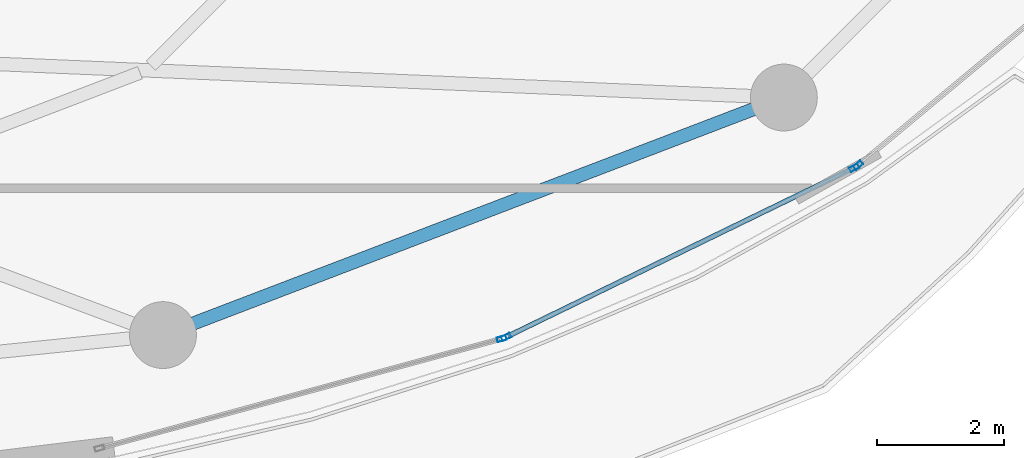
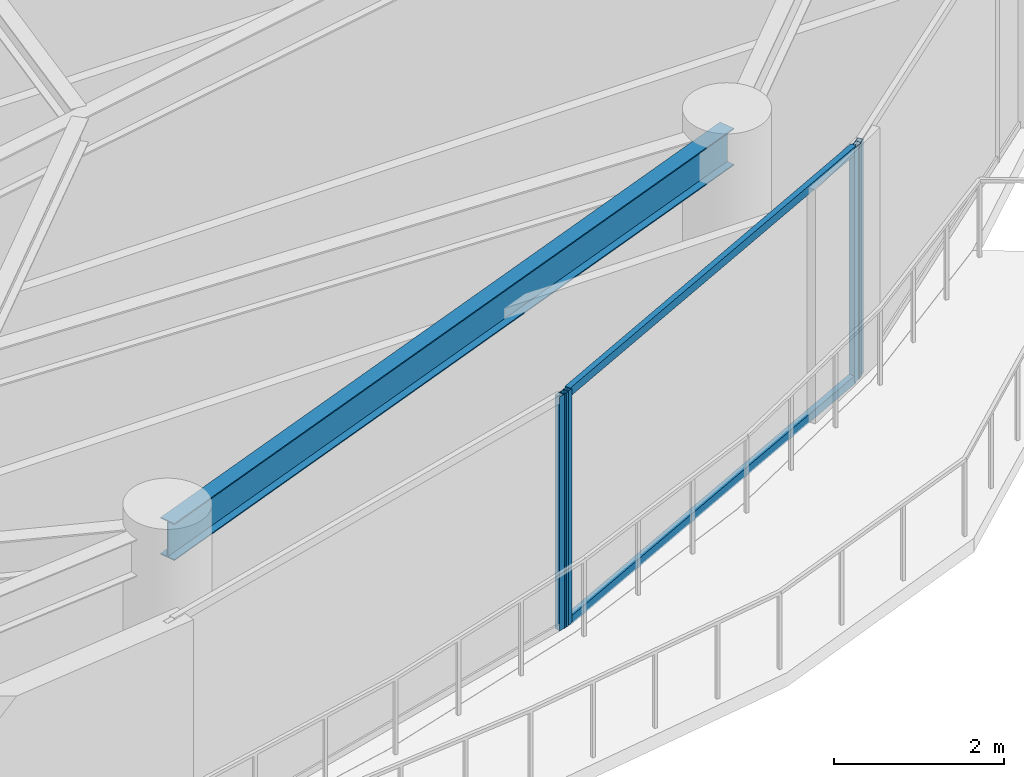
# One storey, part 13 of 31: 6 members, 1 beam, 3 elements without a shape of their own.
"""IFC4 building model written with IfcOpenShell, lengths in metres."""

from ifc_helpers import new_model, si_unit, direction, frame, origin, origin_2d, place, context, subcontext, project, spatial, hollow_rectangle, i_section, extrude, material, layer, layer_set, material_profile, profile_set, type_object, element, aggregate, save


model = new_model("IFC4")

# Units and contexts
model_context = context("Model", 3, precision=1e-05, world=origin(), true_north=direction((0.0, 1.0)))
body_context = subcontext(model_context, "Body", "Model", "MODEL_VIEW")
ifc_project = project(units=[si_unit("LENGTHUNIT", "METRE"), si_unit("AREAUNIT", "SQUARE_METRE"), si_unit("VOLUMEUNIT", "CUBIC_METRE"), si_unit("PLANEANGLEUNIT", "RADIAN"), si_unit("MASSUNIT", "GRAM", prefix="KILO")], contexts=[model_context])

# Site, building, storey
site_placement = place(None, origin())
site = spatial("IfcSite", under=ifc_project, at=site_placement, CompositionType="ELEMENT")
building_placement = place(site_placement, origin())
building = spatial("IfcBuilding", under=site, at=building_placement, Name="Kazevale Care Tower and Concert Hall", CompositionType="ELEMENT")
storey_placement = place(building_placement, frame((0.0, 0.0, 206.39990234375)))
storey = spatial("IfcBuildingStorey", under=building, at=storey_placement, Name="L54", CompositionType="ELEMENT", Elevation=206.39990234375)

# Curtain wall, member
ifc_material_1 = material(Name="Aluminium 6063-T6 and Low-E Glass", Category="aluminium")
ifc_layer = layer(ifc_material_1, 0.179931640625)
ifc_layer_set = layer_set([ifc_layer], Name="Aluminium 6063-T6 and Low-E Glass")
curtain_wall_type = type_object("IfcCurtainWallType", Name="Sheltered Concave Balcony Curtain Wall CW-5", PredefinedType="NOTDEFINED", material=ifc_layer_set)
curtain_wall_1_placement = place(storey_placement, origin())
curtain_wall_1 = element("IfcCurtainWall", 1, at=curtain_wall_1_placement, inside=storey, type_object=curtain_wall_type, Name="cw:L54:f02", PredefinedType="NOTDEFINED")
ifc_material_2 = material(Name="Aluminium 6063-T6", Category="aluminium")
ifc_material_profile_1 = material_profile(ifc_material_2, hollow_rectangle(XDim=0.074951171875, YDim=0.14990234375, WallThickness=0.00390625, at=origin_2d()), Name="ALU75x150x4")
ifc_profile_set_1 = profile_set([ifc_material_profile_1], Name="Aluminium 6063-T6")
member_type_1 = type_object("IfcMemberType", Name="CW-5 Mullion ALU75x150x4", PredefinedType="MULLION", material=ifc_profile_set_1)
member_1_placement = place(storey_placement, frame((67.417724609375, 21.5869140625, 0.0), z_axis=(0.0, 0.0, 1.0), x_axis=(0.639961217204, -0.768407210062, 0.0)))
member_1 = element("IfcMember", 2, at=member_1_placement, type_object=member_type_1, Name="CW-5 mullion 2", PredefinedType="MULLION", context=body_context, shape_type="SweptSolid", body=[
    extrude(hollow_rectangle(XDim=0.074951171875, YDim=0.14990234375, WallThickness=0.00390625, at=origin_2d()), origin(), (0.0, 0.0, 1.0), 3.360107421875),
])
aggregate(curtain_wall_1, [member_1])

# Curtain wall, members
curtain_wall_2_placement = place(storey_placement, origin())
curtain_wall_2 = element("IfcCurtainWall", 3, at=curtain_wall_2_placement, inside=storey, type_object=curtain_wall_type, Name="cw:L54:f03", PredefinedType="NOTDEFINED")
member_2_placement = place(storey_placement, frame((67.355224609375, 21.546630859375, 0.0), z_axis=(0.0, 0.0, 1.0), x_axis=(0.437238357087, -0.89934566163, 0.0)))
member_2 = element("IfcMember", 4, at=member_2_placement, type_object=member_type_1, Name="CW-5 mullion 1", PredefinedType="MULLION", context=body_context, shape_type="SweptSolid", body=[
    extrude(hollow_rectangle(XDim=0.074951171875, YDim=0.14990234375, WallThickness=0.00390625, at=origin_2d()), origin(), (0.0, 0.0, 1.0), 3.360107421875),
])
member_3_placement = place(storey_placement, frame((61.8896484375, 18.889404296875, 0.0), z_axis=(0.0, 0.0, 1.0), x_axis=(0.437238357087, -0.89934566163, 0.0)))
member_3 = element("IfcMember", 5, at=member_3_placement, type_object=member_type_1, Name="CW-5 mullion 2", PredefinedType="MULLION", context=body_context, shape_type="SweptSolid", body=[
    extrude(hollow_rectangle(XDim=0.074951171875, YDim=0.14990234375, WallThickness=0.00390625, at=origin_2d()), origin(), (0.0, 0.0, 1.0), 3.360107421875),
])

# Curtain wall, member
curtain_wall_3_placement = place(storey_placement, origin())
curtain_wall_3 = element("IfcCurtainWall", 6, at=curtain_wall_3_placement, inside=storey, type_object=curtain_wall_type, Name="cw:L54:f04", PredefinedType="NOTDEFINED")
member_4_placement = place(storey_placement, frame((61.81982421875, 18.863037109375, 0.0), z_axis=(0.0, 0.0, 1.0), x_axis=(0.262848968947, -0.964836991167, 0.0)))
member_4 = element("IfcMember", 7, at=member_4_placement, type_object=member_type_1, Name="CW-5 mullion 1", PredefinedType="MULLION", context=body_context, shape_type="SweptSolid", body=[
    extrude(hollow_rectangle(XDim=0.074951171875, YDim=0.14990234375, WallThickness=0.00390625, at=origin_2d()), origin(), (0.0, 0.0, 1.0), 3.360107421875),
])
aggregate(curtain_wall_3, [member_4])

# Member
ifc_material_profile_2 = material_profile(ifc_material_2, hollow_rectangle(XDim=0.074951171875, YDim=0.1201171875, WallThickness=0.00390625, at=origin_2d()), Name="ALU75x120x4")
ifc_profile_set_2 = profile_set([ifc_material_profile_2], Name="Aluminium 6063-T6")
member_type_2 = type_object("IfcMemberType", Name="CW-5 Transom ALU75x120x4", PredefinedType="USERDEFINED", material=ifc_profile_set_2)
member_5_placement = place(storey_placement, frame((67.321533203125, 21.5302734375, 0.03759765625), z_axis=(-0.899342308406, -0.437245254189, 0.0), x_axis=(0.437245254189, -0.899342308406, 0.0)))
member_5 = element("IfcMember", 8, at=member_5_placement, type_object=member_type_2, Name="CW-5 transom 1.1", ObjectType="TRANSOM", PredefinedType="USERDEFINED", context=body_context, shape_type="SweptSolid", body=[
    extrude(hollow_rectangle(XDim=0.074951171875, YDim=0.1201171875, WallThickness=0.00390625, at=origin_2d()), origin(), (0.0, 0.0, 1.0), 6.00244140625),
])

member_6_placement = place(storey_placement, frame((67.321533203125, 21.5302734375, 3.322509765625), z_axis=(-0.899342308406, -0.437245254189, 0.0), x_axis=(0.437245254189, -0.899342308406, 0.0)))
member_6 = element("IfcMember", 9, at=member_6_placement, type_object=member_type_2, Name="CW-5 transom 1.2", ObjectType="TRANSOM", PredefinedType="USERDEFINED", context=body_context, shape_type="SweptSolid", body=[
    extrude(hollow_rectangle(XDim=0.074951171875, YDim=0.1201171875, WallThickness=0.00390625, at=origin_2d()), origin(), (0.0, 0.0, 1.0), 6.00244140625),
])

aggregate(curtain_wall_2, [member_2, member_3, member_5, member_6])

# Beam
ifc_material_3 = material(Name="Steel ASTM A572 Gr 50", Category="steel")
ifc_material_profile_3 = material_profile(ifc_material_3, i_section(OverallWidth=0.208984375, OverallDepth=0.532958984375, WebThickness=0.01025390625, FlangeThickness=0.015625, at=origin_2d()), Name="W530x92")
ifc_profile_set_3 = profile_set([ifc_material_profile_3], Name="Steel ASTM A572 Gr 50")
beam_type = type_object("IfcBeamType", Name="Upper Ring Beam W530x92", PredefinedType="BEAM", material=ifc_profile_set_3)
beam_placement = place(storey_placement, frame((56.5, 18.919921875, 3.093505859375), z_axis=(0.933986653173, 0.357307894811, 0.0), x_axis=(-0.357307894811, 0.933986653173, 0.0)))
element("IfcBeam", 10, at=beam_placement, inside=storey, type_object=beam_type, Name="beam:L54:ring:14", PredefinedType="BEAM", context=body_context, shape_type="SweptSolid", body=[
    extrude(i_section(OverallWidth=0.208984375, OverallDepth=0.532958984375, WebThickness=0.01025390625, FlangeThickness=0.015625, at=origin_2d()), origin(), (0.0, 0.0, 1.0), 10.439208984375),
])

save(model, "model.ifc")
